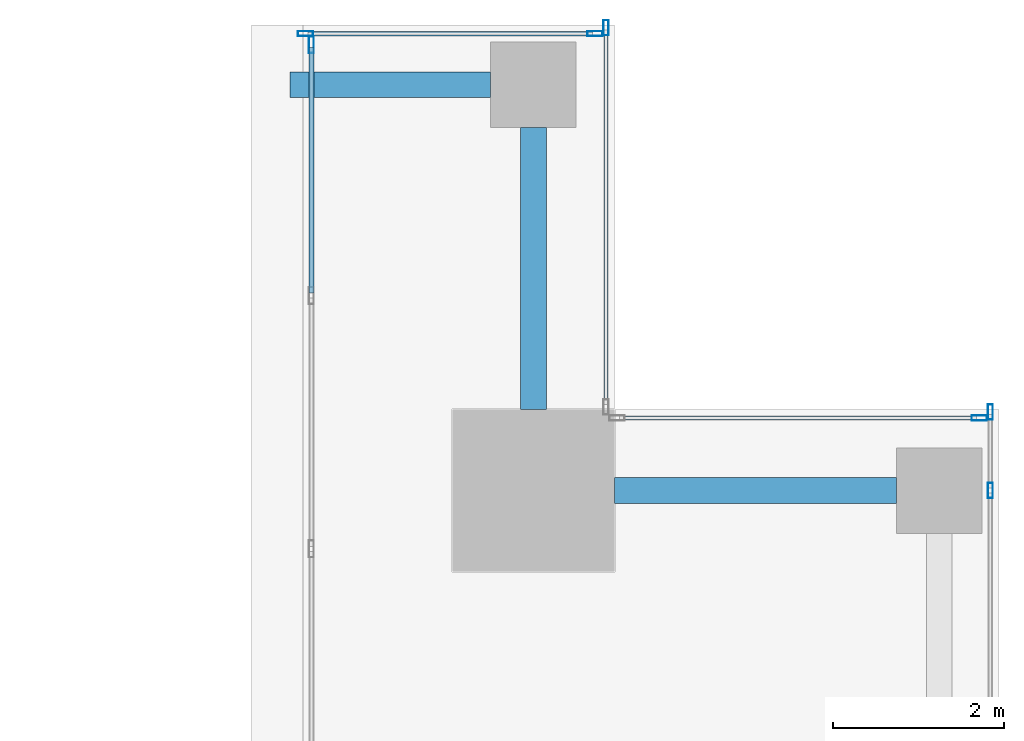
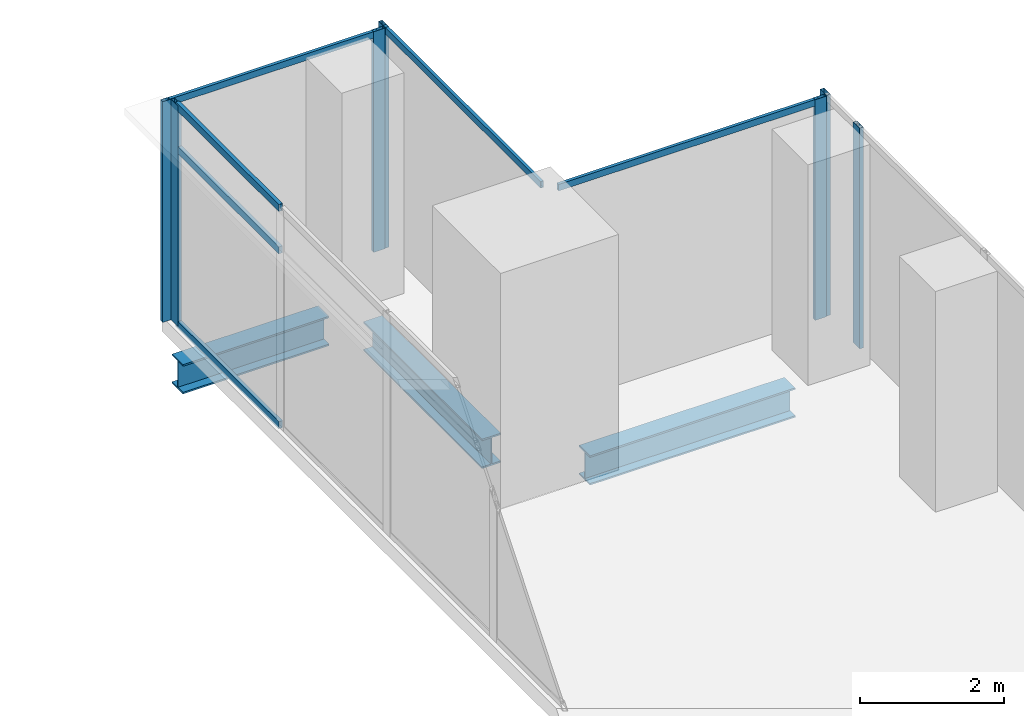
# One storey, part 26 of 38: 13 members, 3 beams, 5 elements without a shape of their own.
"""IFC4 building model written with IfcOpenShell, lengths in metres."""

from ifc_helpers import new_model, si_unit, direction, frame, origin, origin_2d, place, context, subcontext, project, spatial, hollow_rectangle, i_section, extrude, source, transform, mapped, material, material_profile, profile_set, type_object, element, aggregate, save


model = new_model("IFC4")

# Units and contexts
model_context = context("Model", 3, precision=1e-05, world=origin(), true_north=direction((0.0, 1.0)))
body_context = subcontext(model_context, "Body", "Model", "MODEL_VIEW")
ifc_project = project(units=[si_unit("LENGTHUNIT", "METRE"), si_unit("AREAUNIT", "SQUARE_METRE"), si_unit("VOLUMEUNIT", "CUBIC_METRE"), si_unit("PLANEANGLEUNIT", "RADIAN"), si_unit("MASSUNIT", "GRAM", prefix="KILO")], contexts=[model_context])

# Site, building, storey
site_placement = place(None, origin())
site = spatial("IfcSite", under=ifc_project, at=site_placement, CompositionType="ELEMENT")
building_placement = place(site_placement, origin())
building = spatial("IfcBuilding", under=site, at=building_placement, Name="Khomas Fold Tower", CompositionType="ELEMENT")
storey_placement = place(building_placement, frame((0.0, 0.0, 172.699951171875)))
storey = spatial("IfcBuildingStorey", under=building, at=storey_placement, Name="L37", CompositionType="ELEMENT", Elevation=172.699951171875)

# Beams
ifc_material_1 = material(Name="Steel S355", Category="steel")
ifc_material_profile_1 = material_profile(ifc_material_1, i_section(OverallWidth=0.300048828125, OverallDepth=0.5, WebThickness=0.014404296875, FlangeThickness=0.028076171875, at=origin_2d()), Name="HE 500 B")
ifc_profile_set_1 = profile_set([ifc_material_profile_1], Name="Steel S355")
beam_type = type_object("IfcBeamType", Name="HE 500 B spandrel SB3", PredefinedType="SPANDREL", material=ifc_profile_set_1)
shared_shape_1 = source(origin(), body_context, "Body", "SweptSolid", [
    extrude(i_section(OverallWidth=0.300048828125, OverallDepth=0.5, WebThickness=0.014404296875, FlangeThickness=0.028076171875, at=origin_2d()), origin(), (0.0, 0.0, 1.0), 3.300048828125),
])
for number, where, z_axis, x_axis, name in (
    (1, (46.5, 45.550048828125, -0.5), (1.0, 0.0, 0.0), (0.0, 1.0, 0.0), "SB3"),
    (2, (45.550048828125, 46.5, -0.5), (0.0, 1.0, 0.0), (-1.0, 0.0, 0.0), "SB3"),
):
    element("IfcBeam", number, at=place(storey_placement, frame(where, z_axis=z_axis, x_axis=x_axis)), inside=storey, type_object=beam_type, Name=name, PredefinedType="SPANDREL", context=body_context, shape_type="MappedRepresentation", body=[
        mapped(shared_shape_1, transform((0.0, 0.0, 0.0))),
    ])
shared_shape_2 = source(origin(), body_context, "Body", "SweptSolid", [
    extrude(i_section(OverallWidth=0.300048828125, OverallDepth=0.5, WebThickness=0.014404296875, FlangeThickness=0.028076171875, at=origin_2d()), origin(), (0.0, 0.0, 1.0), 2.35009765625),
])
beam_placement = place(storey_placement, frame((42.699951171875, 50.300048828125, -0.5), z_axis=(1.0, 0.0, 0.0), x_axis=(0.0, 1.0, 0.0)))
element("IfcBeam", 3, at=beam_placement, inside=storey, type_object=beam_type, Name="SB3", PredefinedType="SPANDREL", context=body_context, shape_type="MappedRepresentation", body=[
    mapped(shared_shape_2, transform((0.0, 0.0, 0.0))),
])

# Curtain wall, members
ifc_material_2 = material(Name="Aluminium framed double glazing", Category="aluminium")
curtain_wall_type_1 = type_object("IfcCurtainWallType", Name="SK-Unitised clear-glass wall, office floors CW2", PredefinedType="NOTDEFINED", material=ifc_material_2)
curtain_wall_1_placement = place(storey_placement, origin())
curtain_wall_1 = element("IfcCurtainWall", 4, at=curtain_wall_1_placement, inside=storey, type_object=curtain_wall_type_1, Name="CW2 run L37 08-1", PredefinedType="NOTDEFINED")
ifc_material_3 = material(Name="Aluminium", Category="aluminium")
ifc_material_profile_2 = material_profile(ifc_material_3, hollow_rectangle(XDim=0.06005859375, YDim=0.179931640625, WallThickness=0.00390625, at=origin_2d()), Name="SK-Unitised clear-glass wall, office floors mullion CW2-M")
ifc_profile_set_2 = profile_set([ifc_material_profile_2], Name="Aluminium")
member_type_1 = type_object("IfcMemberType", Name="SK-Unitised clear-glass wall, office floors mullion CW2-M", PredefinedType="MULLION", material=ifc_profile_set_2)
shared_shape_3 = source(origin(), body_context, "Body", "SweptSolid", [
    extrude(hollow_rectangle(XDim=0.06005859375, YDim=0.179931640625, WallThickness=0.00390625, at=origin_2d()), origin(), (0.0, 0.0, 1.0), 3.75),
])
member_1_placement = place(storey_placement, frame((50.89990234375, 45.550048828125, 0.0), z_axis=(0.0, 0.0, 1.0), x_axis=(-1.0, 0.0, 0.0)))
member_1 = element("IfcMember", 5, at=member_1_placement, type_object=member_type_1, Name="CW2 mullion 5", PredefinedType="MULLION", context=body_context, shape_type="MappedRepresentation", body=[
    mapped(shared_shape_3, transform((0.0, 0.0, 0.0))),
])
member_2_placement = place(storey_placement, frame((50.89990234375, 46.469970703125, 0.0), z_axis=(0.0, 0.0, 1.0), x_axis=(-1.0, 0.0, 0.0)))
member_2 = element("IfcMember", 6, at=member_2_placement, type_object=member_type_1, Name="CW2 mullion 6", PredefinedType="MULLION", context=body_context, shape_type="MappedRepresentation", body=[
    mapped(shared_shape_3, transform((0.0, 0.0, 0.0))),
])
aggregate(curtain_wall_1, [member_1, member_2])

# Curtain wall, member
curtain_wall_2_placement = place(storey_placement, origin())
curtain_wall_2 = element("IfcCurtainWall", 7, at=curtain_wall_2_placement, inside=storey, type_object=curtain_wall_type_1, Name="CW2 corner return L37 09", PredefinedType="NOTDEFINED")
member_3_placement = place(storey_placement, frame((50.77001953125, 46.39990234375, 0.0), z_axis=(0.0, 0.0, 1.0), x_axis=(0.0, -1.0, 0.0)))
member_3 = element("IfcMember", 8, at=member_3_placement, type_object=member_type_1, Name="CW2 mullion 1", PredefinedType="MULLION", context=body_context, shape_type="MappedRepresentation", body=[
    mapped(shared_shape_3, transform((0.0, 0.0, 0.0))),
])

curtain_wall_3_placement = place(storey_placement, origin())
curtain_wall_3 = element("IfcCurtainWall", 9, at=curtain_wall_3_placement, inside=storey, type_object=curtain_wall_type_1, Name="CW2 corner return L37 10", PredefinedType="NOTDEFINED")
member_4_placement = place(storey_placement, frame((46.39990234375, 50.969970703125, 0.0), z_axis=(0.0, 0.0, 1.0), x_axis=(-1.0, 0.0, 0.0)))
member_4 = element("IfcMember", 10, at=member_4_placement, type_object=member_type_1, Name="CW2 mullion 2", PredefinedType="MULLION", context=body_context, shape_type="MappedRepresentation", body=[
    mapped(shared_shape_3, transform((0.0, 0.0, 0.0))),
])

# Curtain wall, members
curtain_wall_4_placement = place(storey_placement, origin())
curtain_wall_4 = element("IfcCurtainWall", 11, at=curtain_wall_4_placement, inside=storey, type_object=curtain_wall_type_1, Name="CW2 corner return L37 11", PredefinedType="NOTDEFINED")
member_5_placement = place(storey_placement, frame((46.27001953125, 50.89990234375, 0.0), z_axis=(0.0, 0.0, 1.0), x_axis=(0.0, -1.0, 0.0)))
member_5 = element("IfcMember", 12, at=member_5_placement, type_object=member_type_1, Name="CW2 mullion 1", PredefinedType="MULLION", context=body_context, shape_type="MappedRepresentation", body=[
    mapped(shared_shape_3, transform((0.0, 0.0, 0.0))),
])
member_6_placement = place(storey_placement, frame((42.8798828125, 50.89990234375, 0.0), z_axis=(0.0, 0.0, 1.0), x_axis=(0.0, -1.0, 0.0)))
member_6 = element("IfcMember", 13, at=member_6_placement, type_object=member_type_1, Name="CW2 mullion 2", PredefinedType="MULLION", context=body_context, shape_type="MappedRepresentation", body=[
    mapped(shared_shape_3, transform((0.0, 0.0, 0.0))),
])

# Member
ifc_material_4 = material(Name="Aluminium", Category="aluminium")
ifc_material_profile_3 = material_profile(ifc_material_4, hollow_rectangle(XDim=0.050048828125, YDim=0.110107421875, WallThickness=0.00390625, at=origin_2d()), Name="SK-Unitised clear-glass wall, office floors transom CW2-T")
ifc_profile_set_3 = profile_set([ifc_material_profile_3], Name="Aluminium")
member_type_2 = type_object("IfcMemberType", Name="SK-Unitised clear-glass wall, office floors transom CW2-T", PredefinedType="USERDEFINED", material=ifc_profile_set_3)
shared_shape_4 = source(origin(), body_context, "Body", "SweptSolid", [
    extrude(hollow_rectangle(XDim=0.050048828125, YDim=0.110107421875, WallThickness=0.00390625, at=origin_2d()), origin(), (0.0, 0.0, 1.0), 4.3798828125),
])
member_7_placement = place(storey_placement, frame((46.39990234375, 46.56005859375, 3.695068359375), z_axis=(0.0, 1.0, 0.0), x_axis=(-1.0, 0.0, 0.0)))
member_7 = element("IfcMember", 14, at=member_7_placement, type_object=member_type_2, Name="CW2 transom 1", ObjectType="TRANSOM", PredefinedType="USERDEFINED", context=body_context, shape_type="MappedRepresentation", body=[
    mapped(shared_shape_4, transform((0.0, 0.0, 0.0))),
])

aggregate(curtain_wall_3, [member_4, member_7])

shared_shape_5 = source(origin(), body_context, "Body", "SweptSolid", [
    extrude(hollow_rectangle(XDim=0.050048828125, YDim=0.110107421875, WallThickness=0.00390625, at=origin_2d()), origin(), (0.0, 0.0, 1.0), 4.179931640625),
])
member_8_placement = place(storey_placement, frame((50.739990234375, 46.39990234375, 3.695068359375), z_axis=(-1.0, 0.0, 0.0), x_axis=(0.0, -1.0, 0.0)))
member_8 = element("IfcMember", 15, at=member_8_placement, type_object=member_type_2, Name="CW2 transom 1", ObjectType="TRANSOM", PredefinedType="USERDEFINED", context=body_context, shape_type="MappedRepresentation", body=[
    mapped(shared_shape_5, transform((0.0, 0.0, 0.0))),
])

aggregate(curtain_wall_2, [member_3, member_8])

shared_shape_6 = source(origin(), body_context, "Body", "SweptSolid", [
    extrude(hollow_rectangle(XDim=0.050048828125, YDim=0.110107421875, WallThickness=0.00390625, at=origin_2d()), origin(), (0.0, 0.0, 1.0), 3.330078125),
])
member_9_placement = place(storey_placement, frame((46.239990234375, 50.89990234375, 3.695068359375), z_axis=(-1.0, 0.0, 0.0), x_axis=(0.0, -1.0, 0.0)))
member_9 = element("IfcMember", 16, at=member_9_placement, type_object=member_type_2, Name="CW2 transom 1", ObjectType="TRANSOM", PredefinedType="USERDEFINED", context=body_context, shape_type="MappedRepresentation", body=[
    mapped(shared_shape_6, transform((0.0, 0.0, 0.0))),
])

aggregate(curtain_wall_4, [member_5, member_6, member_9])

# Curtain wall, members
ifc_material_5 = material(Name="Aluminium framed double glazing", Category="aluminium")
curtain_wall_type_2 = type_object("IfcCurtainWallType", Name="Notch glazing GN-CW", PredefinedType="NOTDEFINED", material=ifc_material_5)
curtain_wall_5_placement = place(storey_placement, origin())
curtain_wall_5 = element("IfcCurtainWall", 17, at=curtain_wall_5_placement, inside=storey, type_object=curtain_wall_type_2, Name="Notch glazing run", PredefinedType="NOTDEFINED")
ifc_material_6 = material(Name="Aluminium", Category="aluminium")
ifc_material_profile_4 = material_profile(ifc_material_6, hollow_rectangle(XDim=0.06005859375, YDim=0.1201171875, WallThickness=0.00390625, at=origin_2d()), Name="Notch glazing transom GN-CW-T")
ifc_profile_set_4 = profile_set([ifc_material_profile_4], Name="Aluminium")
member_type_3 = type_object("IfcMemberType", Name="Notch glazing transom GN-CW-T", PredefinedType="USERDEFINED", material=ifc_profile_set_4)
shared_shape_7 = source(origin(), body_context, "Body", "SweptSolid", [
    extrude(hollow_rectangle(XDim=0.06005859375, YDim=0.1201171875, WallThickness=0.00390625, at=origin_2d()), origin(), (0.0, 0.0, 1.0), 2.876708984375),
])
member_10_placement = place(storey_placement, frame((42.949951171875, 50.739990234375, 0.030029296875), z_axis=(0.0, -1.0, 0.0), x_axis=(1.0, 0.0, 0.0)))
member_10 = element("IfcMember", 18, at=member_10_placement, type_object=member_type_3, Name="GN-CW transom 1.1", ObjectType="TRANSOM", PredefinedType="USERDEFINED", context=body_context, shape_type="MappedRepresentation", body=[
    mapped(shared_shape_7, transform((0.0, 0.0, 0.0))),
])
member_11_placement = place(storey_placement, frame((42.949951171875, 50.739990234375, 3.0), z_axis=(0.0, -1.0, 0.0), x_axis=(1.0, 0.0, 0.0)))
member_11 = element("IfcMember", 19, at=member_11_placement, type_object=member_type_3, Name="GN-CW transom 1.2", ObjectType="TRANSOM", PredefinedType="USERDEFINED", context=body_context, shape_type="MappedRepresentation", body=[
    mapped(shared_shape_7, transform((0.0, 0.0, 0.0))),
])
member_12_placement = place(storey_placement, frame((42.949951171875, 50.739990234375, 3.719970703125), z_axis=(0.0, -1.0, 0.0), x_axis=(1.0, 0.0, 0.0)))
member_12 = element("IfcMember", 20, at=member_12_placement, type_object=member_type_3, Name="GN-CW transom 1.3", ObjectType="TRANSOM", PredefinedType="USERDEFINED", context=body_context, shape_type="MappedRepresentation", body=[
    mapped(shared_shape_7, transform((0.0, 0.0, 0.0))),
])
ifc_material_7 = material(Name="Aluminium", Category="aluminium")
ifc_material_profile_5 = material_profile(ifc_material_7, hollow_rectangle(XDim=0.06005859375, YDim=0.199951171875, WallThickness=0.00390625, at=origin_2d()), Name="Notch glazing mullion GN-CW-M")
ifc_profile_set_5 = profile_set([ifc_material_profile_5], Name="Aluminium")
member_type_4 = type_object("IfcMemberType", Name="Notch glazing mullion GN-CW-M", PredefinedType="MULLION", material=ifc_profile_set_5)
shared_shape_8 = source(origin(), body_context, "Body", "SweptSolid", [
    extrude(hollow_rectangle(XDim=0.06005859375, YDim=0.199951171875, WallThickness=0.00390625, at=origin_2d()), origin(), (0.0, 0.0, 1.0), 3.75),
])
member_13_placement = place(storey_placement, frame((42.949951171875, 50.77001953125, 0.0), z_axis=(0.0, 0.0, 1.0), x_axis=(1.0, 0.0, 0.0)))
member_13 = element("IfcMember", 21, at=member_13_placement, type_object=member_type_4, Name="GN-CW mullion 1", PredefinedType="MULLION", context=body_context, shape_type="MappedRepresentation", body=[
    mapped(shared_shape_8, transform((0.0, 0.0, 0.0))),
])
aggregate(curtain_wall_5, [member_13, member_10, member_11, member_12])

save(model, "model.ifc")
